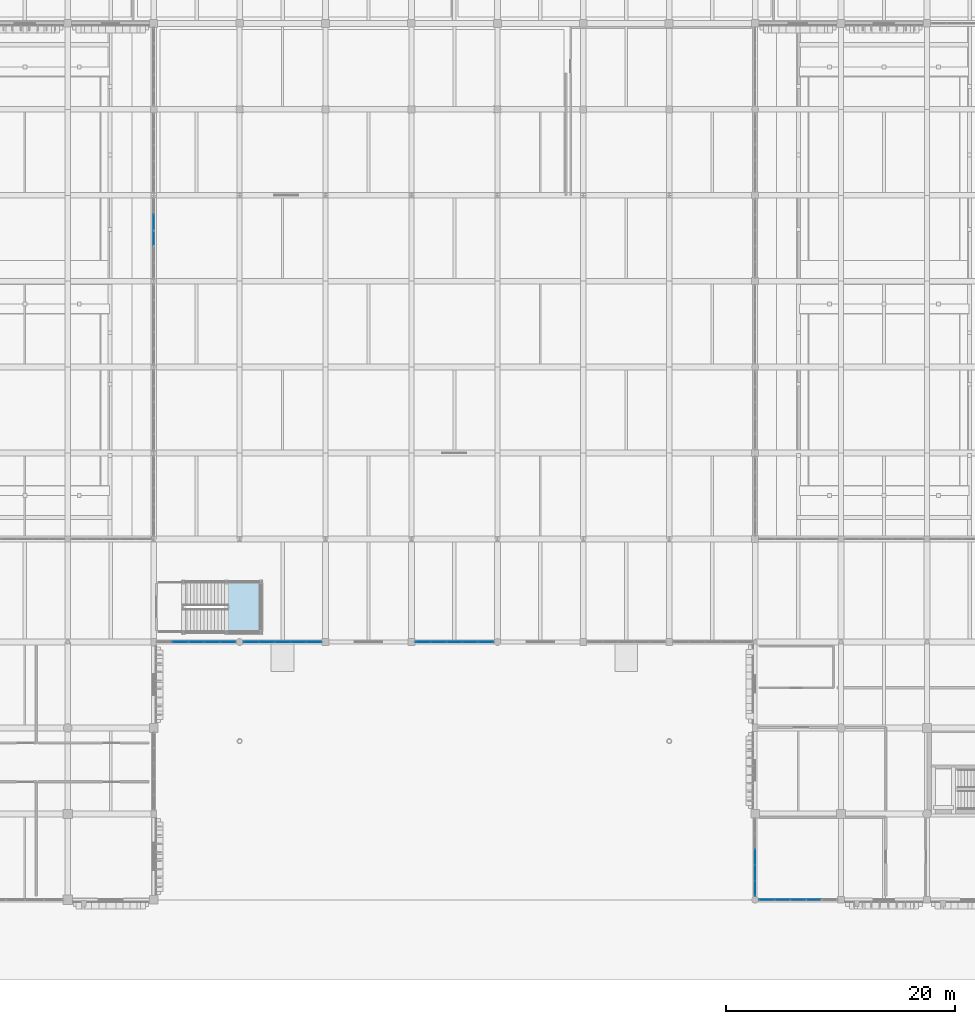
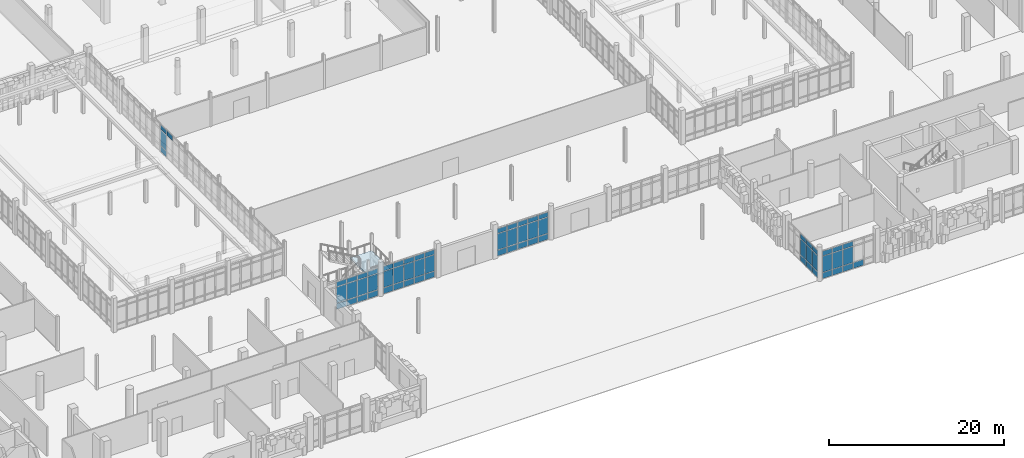
# One storey, part 74 of 125: 65 plates, 1 slab, 7 elements without a shape of their own.
"""IFC4 building model written with IfcOpenShell, lengths in metres."""

from ifc_helpers import new_model, si_unit, direction, frame, origin, origin_2d, place, context, subcontext, project, spatial, polyline, rectangle, outline, extrude, material, layer, layer_set, type_object, element, aggregate, save


model = new_model("IFC4")

# Units and contexts
model_context = context("Model", 3, precision=1e-05, world=origin(), true_north=direction((0.0, 1.0)))
body_context = subcontext(model_context, "Body", "Model", "MODEL_VIEW")
ifc_project = project(units=[si_unit("LENGTHUNIT", "METRE"), si_unit("AREAUNIT", "SQUARE_METRE"), si_unit("VOLUMEUNIT", "CUBIC_METRE"), si_unit("PLANEANGLEUNIT", "RADIAN"), si_unit("MASSUNIT", "GRAM", prefix="KILO")], contexts=[model_context])

# Site, building, storey
site_placement = place(None, origin())
site = spatial("IfcSite", under=ifc_project, at=site_placement, CompositionType="ELEMENT")
building_placement = place(site_placement, origin())
building = spatial("IfcBuilding", under=site, at=building_placement, Name="Dalvernix Boulevard General Hospital", CompositionType="ELEMENT")
storey_placement = place(building_placement, origin())
storey = spatial("IfcBuildingStorey", under=building, at=storey_placement, Name="L00", CompositionType="ELEMENT", Elevation=0.0)

# Curtain wall, plates
ifc_material_1 = material(Name="Thermally broken aluminium and solar-control glass curtain wall", Category="aluminium")
ifc_layer_1 = layer(ifc_material_1, 0.159912109375)
ifc_layer_set_1 = layer_set([ifc_layer_1], Name="Thermally broken aluminium and solar-control glass curtain wall (CW-CW-A-71x39)")
curtain_wall_type_1 = type_object("IfcCurtainWallType", Name="CW-CW-A-71x39", PredefinedType="USERDEFINED", material=ifc_layer_set_1)
curtain_wall_1_placement = place(storey_placement, origin())
curtain_wall_1 = element("IfcCurtainWall", 1, at=curtain_wall_1_placement, inside=storey, type_object=curtain_wall_type_1, Name="L00 curtain wall CW-A-71x39 8-7", ObjectType="GLAZED FACADE", PredefinedType="USERDEFINED")
ifc_material_2 = material(Name="Double-glazed solar-control low-emissivity glass", Category="glass")
ifc_layer_2 = layer(ifc_material_2, 0.02392578125)
ifc_layer_set_2 = layer_set([ifc_layer_2], Name="Double-glazed solar-control low-emissivity glass (PLT-CW-P1)")
plate_type_1 = type_object("IfcPlateType", Name="PLT-CW-P1", PredefinedType="CURTAIN_PANEL", material=ifc_layer_set_2)
plate_1_placement = place(storey_placement, frame((60.0, 57.75, 3.18017578125), z_axis=(0.0, 0.0, 1.0), x_axis=(0.0, 1.0, 0.0)))
plate_1 = element("IfcPlate", 2, at=plate_1_placement, type_object=plate_type_1, Name="CW-A-71x39 panel 3.3", PredefinedType="CURTAIN_PANEL", context=body_context, shape_type="SweptSolid", body=[
    extrude(rectangle(XDim=1.35595703125, YDim=0.02392578125, at=origin_2d()), origin(), (0.0, 0.0, 1.0), 0.659912109375),
])
plate_2_placement = place(storey_placement, frame((60.0, 59.166015625, 0.06005859375), z_axis=(0.0, 0.0, 1.0), x_axis=(0.0, 1.0, 0.0)))
plate_2 = element("IfcPlate", 3, at=plate_2_placement, type_object=plate_type_1, Name="CW-A-71x39 panel 4.1", PredefinedType="CURTAIN_PANEL", context=body_context, shape_type="SweptSolid", body=[
    extrude(rectangle(XDim=1.35595703125, YDim=0.02392578125, at=origin_2d()), origin(), (0.0, 0.0, 1.0), 0.81005859375),
])
plate_3_placement = place(storey_placement, frame((60.0, 59.166015625, 0.929931640625), z_axis=(0.0, 0.0, 1.0), x_axis=(0.0, 1.0, 0.0)))
plate_3 = element("IfcPlate", 4, at=plate_3_placement, type_object=plate_type_1, Name="CW-A-71x39 panel 4.2", PredefinedType="CURTAIN_PANEL", context=body_context, shape_type="SweptSolid", body=[
    extrude(rectangle(XDim=1.35595703125, YDim=0.02392578125, at=origin_2d()), origin(), (0.0, 0.0, 1.0), 2.18994140625),
])
plate_4_placement = place(storey_placement, frame((60.0, 59.166015625, 3.18017578125), z_axis=(0.0, 0.0, 1.0), x_axis=(0.0, 1.0, 0.0)))
plate_4 = element("IfcPlate", 5, at=plate_4_placement, type_object=plate_type_1, Name="CW-A-71x39 panel 4.3", PredefinedType="CURTAIN_PANEL", context=body_context, shape_type="SweptSolid", body=[
    extrude(rectangle(XDim=1.35595703125, YDim=0.02392578125, at=origin_2d()), origin(), (0.0, 0.0, 1.0), 0.659912109375),
])
aggregate(curtain_wall_1, [plate_1, plate_2, plate_3, plate_4])

ifc_layer_3 = layer(ifc_material_1, 0.159912109375)
ifc_layer_set_3 = layer_set([ifc_layer_3], Name="Thermally broken aluminium and solar-control glass curtain wall (CW-CW-A-69x40)")
curtain_wall_type_2 = type_object("IfcCurtainWallType", Name="CW-CW-A-69x40", PredefinedType="USERDEFINED", material=ifc_layer_set_3)
curtain_wall_2_placement = place(storey_placement, origin())
curtain_wall_2 = element("IfcCurtainWall", 6, at=curtain_wall_2_placement, inside=storey, type_object=curtain_wall_type_2, Name="L00 curtain wall CW-A-69x40 9-3", ObjectType="GLAZED FACADE", PredefinedType="USERDEFINED")
plate_5_placement = place(storey_placement, frame((73.987060546875, 22.5, 0.06005859375), z_axis=(0.0, 0.0, 1.0), x_axis=(-1.0, 0.0, 0.0)))
plate_5 = element("IfcPlate", 7, at=plate_5_placement, type_object=plate_type_1, Name="CW-A-69x40 panel 1.1", PredefinedType="CURTAIN_PANEL", context=body_context, shape_type="SweptSolid", body=[
    extrude(rectangle(XDim=1.285888671875, YDim=0.02392578125, at=origin_2d()), origin(), (0.0, 0.0, 1.0), 0.81005859375),
])
plate_6_placement = place(storey_placement, frame((73.987060546875, 22.5, 0.93017578125), z_axis=(0.0, 0.0, 1.0), x_axis=(-1.0, 0.0, 0.0)))
plate_6 = element("IfcPlate", 8, at=plate_6_placement, type_object=plate_type_1, Name="CW-A-69x40 panel 1.2", PredefinedType="CURTAIN_PANEL", context=body_context, shape_type="SweptSolid", body=[
    extrude(rectangle(XDim=1.285888671875, YDim=0.02392578125, at=origin_2d()), origin(), (0.0, 0.0, 1.0), 2.239990234375),
])
plate_7_placement = place(storey_placement, frame((73.987060546875, 22.5, 3.22998046875), z_axis=(0.0, 0.0, 1.0), x_axis=(-1.0, 0.0, 0.0)))
plate_7 = element("IfcPlate", 9, at=plate_7_placement, type_object=plate_type_1, Name="CW-A-69x40 panel 1.3", PredefinedType="CURTAIN_PANEL", context=body_context, shape_type="SweptSolid", body=[
    extrude(rectangle(XDim=1.285888671875, YDim=0.02392578125, at=origin_2d()), origin(), (0.0, 0.0, 1.0), 0.659912109375),
])
plate_8_placement = place(storey_placement, frame((72.6259765625, 22.5, 0.06005859375), z_axis=(0.0, 0.0, 1.0), x_axis=(-1.0, 0.0, 0.0)))
plate_8 = element("IfcPlate", 10, at=plate_8_placement, type_object=plate_type_1, Name="CW-A-69x40 panel 2.1", PredefinedType="CURTAIN_PANEL", context=body_context, shape_type="SweptSolid", body=[
    extrude(rectangle(XDim=1.31591796875, YDim=0.02392578125, at=origin_2d()), origin(), (0.0, 0.0, 1.0), 0.81005859375),
])
plate_9_placement = place(storey_placement, frame((72.6259765625, 22.5, 0.93017578125), z_axis=(0.0, 0.0, 1.0), x_axis=(-1.0, 0.0, 0.0)))
plate_9 = element("IfcPlate", 11, at=plate_9_placement, type_object=plate_type_1, Name="CW-A-69x40 panel 2.2", PredefinedType="CURTAIN_PANEL", context=body_context, shape_type="SweptSolid", body=[
    extrude(rectangle(XDim=1.31591796875, YDim=0.02392578125, at=origin_2d()), origin(), (0.0, 0.0, 1.0), 2.239990234375),
])
plate_10_placement = place(storey_placement, frame((72.6259765625, 22.5, 3.22998046875), z_axis=(0.0, 0.0, 1.0), x_axis=(-1.0, 0.0, 0.0)))
plate_10 = element("IfcPlate", 12, at=plate_10_placement, type_object=plate_type_1, Name="CW-A-69x40 panel 2.3", PredefinedType="CURTAIN_PANEL", context=body_context, shape_type="SweptSolid", body=[
    extrude(rectangle(XDim=1.31591796875, YDim=0.02392578125, at=origin_2d()), origin(), (0.0, 0.0, 1.0), 0.659912109375),
])
plate_11_placement = place(storey_placement, frame((71.25, 22.5, 0.06005859375), z_axis=(0.0, 0.0, 1.0), x_axis=(-1.0, 0.0, 0.0)))
plate_11 = element("IfcPlate", 13, at=plate_11_placement, type_object=plate_type_1, Name="CW-A-69x40 panel 3.1", PredefinedType="CURTAIN_PANEL", context=body_context, shape_type="SweptSolid", body=[
    extrude(rectangle(XDim=1.31591796875, YDim=0.02392578125, at=origin_2d()), origin(), (0.0, 0.0, 1.0), 0.81005859375),
])
plate_12_placement = place(storey_placement, frame((71.25, 22.5, 0.93017578125), z_axis=(0.0, 0.0, 1.0), x_axis=(-1.0, 0.0, 0.0)))
plate_12 = element("IfcPlate", 14, at=plate_12_placement, type_object=plate_type_1, Name="CW-A-69x40 panel 3.2", PredefinedType="CURTAIN_PANEL", context=body_context, shape_type="SweptSolid", body=[
    extrude(rectangle(XDim=1.31591796875, YDim=0.02392578125, at=origin_2d()), origin(), (0.0, 0.0, 1.0), 2.239990234375),
])
plate_13_placement = place(storey_placement, frame((71.25, 22.5, 3.22998046875), z_axis=(0.0, 0.0, 1.0), x_axis=(-1.0, 0.0, 0.0)))
plate_13 = element("IfcPlate", 15, at=plate_13_placement, type_object=plate_type_1, Name="CW-A-69x40 panel 3.3", PredefinedType="CURTAIN_PANEL", context=body_context, shape_type="SweptSolid", body=[
    extrude(rectangle(XDim=1.31591796875, YDim=0.02392578125, at=origin_2d()), origin(), (0.0, 0.0, 1.0), 0.659912109375),
])
plate_14_placement = place(storey_placement, frame((69.8740234375, 22.5, 0.06005859375), z_axis=(0.0, 0.0, 1.0), x_axis=(-1.0, 0.0, 0.0)))
plate_14 = element("IfcPlate", 16, at=plate_14_placement, type_object=plate_type_1, Name="CW-A-69x40 panel 4.1", PredefinedType="CURTAIN_PANEL", context=body_context, shape_type="SweptSolid", body=[
    extrude(rectangle(XDim=1.31591796875, YDim=0.02392578125, at=origin_2d()), origin(), (0.0, 0.0, 1.0), 0.81005859375),
])
plate_15_placement = place(storey_placement, frame((69.8740234375, 22.5, 0.93017578125), z_axis=(0.0, 0.0, 1.0), x_axis=(-1.0, 0.0, 0.0)))
plate_15 = element("IfcPlate", 17, at=plate_15_placement, type_object=plate_type_1, Name="CW-A-69x40 panel 4.2", PredefinedType="CURTAIN_PANEL", context=body_context, shape_type="SweptSolid", body=[
    extrude(rectangle(XDim=1.31591796875, YDim=0.02392578125, at=origin_2d()), origin(), (0.0, 0.0, 1.0), 2.239990234375),
])
plate_16_placement = place(storey_placement, frame((69.8740234375, 22.5, 3.22998046875), z_axis=(0.0, 0.0, 1.0), x_axis=(-1.0, 0.0, 0.0)))
plate_16 = element("IfcPlate", 18, at=plate_16_placement, type_object=plate_type_1, Name="CW-A-69x40 panel 4.3", PredefinedType="CURTAIN_PANEL", context=body_context, shape_type="SweptSolid", body=[
    extrude(rectangle(XDim=1.31591796875, YDim=0.02392578125, at=origin_2d()), origin(), (0.0, 0.0, 1.0), 0.659912109375),
])
plate_17_placement = place(storey_placement, frame((68.512939453125, 22.5, 0.06005859375), z_axis=(0.0, 0.0, 1.0), x_axis=(-1.0, 0.0, 0.0)))
plate_17 = element("IfcPlate", 19, at=plate_17_placement, type_object=plate_type_1, Name="CW-A-69x40 panel 5.1", PredefinedType="CURTAIN_PANEL", context=body_context, shape_type="SweptSolid", body=[
    extrude(rectangle(XDim=1.285888671875, YDim=0.02392578125, at=origin_2d()), origin(), (0.0, 0.0, 1.0), 0.81005859375),
])
plate_18_placement = place(storey_placement, frame((68.512939453125, 22.5, 0.93017578125), z_axis=(0.0, 0.0, 1.0), x_axis=(-1.0, 0.0, 0.0)))
plate_18 = element("IfcPlate", 20, at=plate_18_placement, type_object=plate_type_1, Name="CW-A-69x40 panel 5.2", PredefinedType="CURTAIN_PANEL", context=body_context, shape_type="SweptSolid", body=[
    extrude(rectangle(XDim=1.285888671875, YDim=0.02392578125, at=origin_2d()), origin(), (0.0, 0.0, 1.0), 2.239990234375),
])
plate_19_placement = place(storey_placement, frame((68.512939453125, 22.5, 3.22998046875), z_axis=(0.0, 0.0, 1.0), x_axis=(-1.0, 0.0, 0.0)))
plate_19 = element("IfcPlate", 21, at=plate_19_placement, type_object=plate_type_1, Name="CW-A-69x40 panel 5.3", PredefinedType="CURTAIN_PANEL", context=body_context, shape_type="SweptSolid", body=[
    extrude(rectangle(XDim=1.285888671875, YDim=0.02392578125, at=origin_2d()), origin(), (0.0, 0.0, 1.0), 0.659912109375),
])
aggregate(curtain_wall_2, [plate_5, plate_6, plate_7, plate_8, plate_9, plate_10, plate_11, plate_12, plate_13, plate_14, plate_15, plate_16, plate_17, plate_18, plate_19])

curtain_wall_3_placement = place(storey_placement, origin())
curtain_wall_3 = element("IfcCurtainWall", 22, at=curtain_wall_3_placement, inside=storey, type_object=curtain_wall_type_2, Name="L00 curtain wall CW-A-69x40 15-0", ObjectType="GLAZED FACADE", PredefinedType="USERDEFINED")
plate_20_placement = place(storey_placement, frame((117.6259765625, 0.0, 0.06005859375), z_axis=(0.0, 0.0, 1.0), x_axis=(-1.0, 0.0, 0.0)))
plate_20 = element("IfcPlate", 23, at=plate_20_placement, type_object=plate_type_1, Name="CW-A-69x40 panel 2.1", PredefinedType="CURTAIN_PANEL", context=body_context, shape_type="SweptSolid", body=[
    extrude(rectangle(XDim=1.31591796875, YDim=0.02392578125, at=origin_2d()), origin(), (0.0, 0.0, 1.0), 0.81005859375),
])
plate_21_placement = place(storey_placement, frame((116.25, 0.0, 0.06005859375), z_axis=(0.0, 0.0, 1.0), x_axis=(-1.0, 0.0, 0.0)))
plate_21 = element("IfcPlate", 24, at=plate_21_placement, type_object=plate_type_1, Name="CW-A-69x40 panel 3.1", PredefinedType="CURTAIN_PANEL", context=body_context, shape_type="SweptSolid", body=[
    extrude(rectangle(XDim=1.31591796875, YDim=0.02392578125, at=origin_2d()), origin(), (0.0, 0.0, 1.0), 0.81005859375),
])
plate_22_placement = place(storey_placement, frame((116.25, 0.0, 0.93017578125), z_axis=(0.0, 0.0, 1.0), x_axis=(-1.0, 0.0, 0.0)))
plate_22 = element("IfcPlate", 25, at=plate_22_placement, type_object=plate_type_1, Name="CW-A-69x40 panel 3.2", PredefinedType="CURTAIN_PANEL", context=body_context, shape_type="SweptSolid", body=[
    extrude(rectangle(XDim=1.31591796875, YDim=0.02392578125, at=origin_2d()), origin(), (0.0, 0.0, 1.0), 2.239990234375),
])
plate_23_placement = place(storey_placement, frame((116.25, 0.0, 3.22998046875), z_axis=(0.0, 0.0, 1.0), x_axis=(-1.0, 0.0, 0.0)))
plate_23 = element("IfcPlate", 26, at=plate_23_placement, type_object=plate_type_1, Name="CW-A-69x40 panel 3.3", PredefinedType="CURTAIN_PANEL", context=body_context, shape_type="SweptSolid", body=[
    extrude(rectangle(XDim=1.31591796875, YDim=0.02392578125, at=origin_2d()), origin(), (0.0, 0.0, 1.0), 0.659912109375),
])
plate_24_placement = place(storey_placement, frame((114.8740234375, 0.0, 0.06005859375), z_axis=(0.0, 0.0, 1.0), x_axis=(-1.0, 0.0, 0.0)))
plate_24 = element("IfcPlate", 27, at=plate_24_placement, type_object=plate_type_1, Name="CW-A-69x40 panel 4.1", PredefinedType="CURTAIN_PANEL", context=body_context, shape_type="SweptSolid", body=[
    extrude(rectangle(XDim=1.31591796875, YDim=0.02392578125, at=origin_2d()), origin(), (0.0, 0.0, 1.0), 0.81005859375),
])
plate_25_placement = place(storey_placement, frame((114.8740234375, 0.0, 0.93017578125), z_axis=(0.0, 0.0, 1.0), x_axis=(-1.0, 0.0, 0.0)))
plate_25 = element("IfcPlate", 28, at=plate_25_placement, type_object=plate_type_1, Name="CW-A-69x40 panel 4.2", PredefinedType="CURTAIN_PANEL", context=body_context, shape_type="SweptSolid", body=[
    extrude(rectangle(XDim=1.31591796875, YDim=0.02392578125, at=origin_2d()), origin(), (0.0, 0.0, 1.0), 2.239990234375),
])
plate_26_placement = place(storey_placement, frame((114.8740234375, 0.0, 3.22998046875), z_axis=(0.0, 0.0, 1.0), x_axis=(-1.0, 0.0, 0.0)))
plate_26 = element("IfcPlate", 29, at=plate_26_placement, type_object=plate_type_1, Name="CW-A-69x40 panel 4.3", PredefinedType="CURTAIN_PANEL", context=body_context, shape_type="SweptSolid", body=[
    extrude(rectangle(XDim=1.31591796875, YDim=0.02392578125, at=origin_2d()), origin(), (0.0, 0.0, 1.0), 0.659912109375),
])
plate_27_placement = place(storey_placement, frame((113.512939453125, 0.0, 0.06005859375), z_axis=(0.0, 0.0, 1.0), x_axis=(-1.0, 0.0, 0.0)))
plate_27 = element("IfcPlate", 30, at=plate_27_placement, type_object=plate_type_1, Name="CW-A-69x40 panel 5.1", PredefinedType="CURTAIN_PANEL", context=body_context, shape_type="SweptSolid", body=[
    extrude(rectangle(XDim=1.285888671875, YDim=0.02392578125, at=origin_2d()), origin(), (0.0, 0.0, 1.0), 0.81005859375),
])
plate_28_placement = place(storey_placement, frame((113.512939453125, 0.0, 0.93017578125), z_axis=(0.0, 0.0, 1.0), x_axis=(-1.0, 0.0, 0.0)))
plate_28 = element("IfcPlate", 31, at=plate_28_placement, type_object=plate_type_1, Name="CW-A-69x40 panel 5.2", PredefinedType="CURTAIN_PANEL", context=body_context, shape_type="SweptSolid", body=[
    extrude(rectangle(XDim=1.285888671875, YDim=0.02392578125, at=origin_2d()), origin(), (0.0, 0.0, 1.0), 2.239990234375),
])
plate_29_placement = place(storey_placement, frame((113.512939453125, 0.0, 3.22998046875), z_axis=(0.0, 0.0, 1.0), x_axis=(-1.0, 0.0, 0.0)))
plate_29 = element("IfcPlate", 32, at=plate_29_placement, type_object=plate_type_1, Name="CW-A-69x40 panel 5.3", PredefinedType="CURTAIN_PANEL", context=body_context, shape_type="SweptSolid", body=[
    extrude(rectangle(XDim=1.285888671875, YDim=0.02392578125, at=origin_2d()), origin(), (0.0, 0.0, 1.0), 0.659912109375),
])
aggregate(curtain_wall_3, [plate_20, plate_21, plate_22, plate_23, plate_24, plate_25, plate_26, plate_27, plate_28, plate_29])

ifc_layer_4 = layer(ifc_material_1, 0.159912109375)
ifc_layer_set_4 = layer_set([ifc_layer_4], Name="Thermally broken aluminium and solar-control glass curtain wall (CW-CW-A-68x39)")
curtain_wall_type_3 = type_object("IfcCurtainWallType", Name="CW-CW-A-68x39", PredefinedType="USERDEFINED", material=ifc_layer_set_4)
curtain_wall_4_placement = place(storey_placement, origin())
curtain_wall_4 = element("IfcCurtainWall", 33, at=curtain_wall_4_placement, inside=storey, type_object=curtain_wall_type_3, Name="L00 curtain wall CW-A-68x39 15-0", ObjectType="GLAZED FACADE", PredefinedType="USERDEFINED")
plate_30_placement = place(storey_placement, frame((112.5, 1.005615234375, 0.06005859375), z_axis=(0.0, 0.0, 1.0), x_axis=(0.0, 1.0, 0.0)))
plate_30 = element("IfcPlate", 34, at=plate_30_placement, type_object=plate_type_1, Name="CW-A-68x39 panel 1.1", PredefinedType="CURTAIN_PANEL", context=body_context, shape_type="SweptSolid", body=[
    extrude(rectangle(XDim=1.27099609375, YDim=0.02392578125, at=origin_2d()), origin(), (0.0, 0.0, 1.0), 0.81005859375),
])
plate_31_placement = place(storey_placement, frame((112.5, 1.005615234375, 0.929931640625), z_axis=(0.0, 0.0, 1.0), x_axis=(0.0, 1.0, 0.0)))
plate_31 = element("IfcPlate", 35, at=plate_31_placement, type_object=plate_type_1, Name="CW-A-68x39 panel 1.2", PredefinedType="CURTAIN_PANEL", context=body_context, shape_type="SweptSolid", body=[
    extrude(rectangle(XDim=1.27099609375, YDim=0.02392578125, at=origin_2d()), origin(), (0.0, 0.0, 1.0), 2.18994140625),
])
plate_32_placement = place(storey_placement, frame((112.5, 1.005615234375, 3.18017578125), z_axis=(0.0, 0.0, 1.0), x_axis=(0.0, 1.0, 0.0)))
plate_32 = element("IfcPlate", 36, at=plate_32_placement, type_object=plate_type_1, Name="CW-A-68x39 panel 1.3", PredefinedType="CURTAIN_PANEL", context=body_context, shape_type="SweptSolid", body=[
    extrude(rectangle(XDim=1.27099609375, YDim=0.02392578125, at=origin_2d()), origin(), (0.0, 0.0, 1.0), 0.659912109375),
])
plate_33_placement = place(storey_placement, frame((112.5, 2.3515625, 0.06005859375), z_axis=(0.0, 0.0, 1.0), x_axis=(0.0, 1.0, 0.0)))
plate_33 = element("IfcPlate", 37, at=plate_33_placement, type_object=plate_type_1, Name="CW-A-68x39 panel 2.1", PredefinedType="CURTAIN_PANEL", context=body_context, shape_type="SweptSolid", body=[
    extrude(rectangle(XDim=1.301025390625, YDim=0.02392578125, at=origin_2d()), origin(), (0.0, 0.0, 1.0), 0.81005859375),
])
plate_34_placement = place(storey_placement, frame((112.5, 2.3515625, 0.929931640625), z_axis=(0.0, 0.0, 1.0), x_axis=(0.0, 1.0, 0.0)))
plate_34 = element("IfcPlate", 38, at=plate_34_placement, type_object=plate_type_1, Name="CW-A-68x39 panel 2.2", PredefinedType="CURTAIN_PANEL", context=body_context, shape_type="SweptSolid", body=[
    extrude(rectangle(XDim=1.301025390625, YDim=0.02392578125, at=origin_2d()), origin(), (0.0, 0.0, 1.0), 2.18994140625),
])
plate_35_placement = place(storey_placement, frame((112.5, 2.3515625, 3.18017578125), z_axis=(0.0, 0.0, 1.0), x_axis=(0.0, 1.0, 0.0)))
plate_35 = element("IfcPlate", 39, at=plate_35_placement, type_object=plate_type_1, Name="CW-A-68x39 panel 2.3", PredefinedType="CURTAIN_PANEL", context=body_context, shape_type="SweptSolid", body=[
    extrude(rectangle(XDim=1.301025390625, YDim=0.02392578125, at=origin_2d()), origin(), (0.0, 0.0, 1.0), 0.659912109375),
])
plate_36_placement = place(storey_placement, frame((112.5, 3.71240234375, 0.06005859375), z_axis=(0.0, 0.0, 1.0), x_axis=(0.0, 1.0, 0.0)))
plate_36 = element("IfcPlate", 40, at=plate_36_placement, type_object=plate_type_1, Name="CW-A-68x39 panel 3.1", PredefinedType="CURTAIN_PANEL", context=body_context, shape_type="SweptSolid", body=[
    extrude(rectangle(XDim=1.301025390625, YDim=0.02392578125, at=origin_2d()), origin(), (0.0, 0.0, 1.0), 0.81005859375),
])
plate_37_placement = place(storey_placement, frame((112.5, 3.71240234375, 0.929931640625), z_axis=(0.0, 0.0, 1.0), x_axis=(0.0, 1.0, 0.0)))
plate_37 = element("IfcPlate", 41, at=plate_37_placement, type_object=plate_type_1, Name="CW-A-68x39 panel 3.2", PredefinedType="CURTAIN_PANEL", context=body_context, shape_type="SweptSolid", body=[
    extrude(rectangle(XDim=1.301025390625, YDim=0.02392578125, at=origin_2d()), origin(), (0.0, 0.0, 1.0), 2.18994140625),
])
plate_38_placement = place(storey_placement, frame((112.5, 3.71240234375, 3.18017578125), z_axis=(0.0, 0.0, 1.0), x_axis=(0.0, 1.0, 0.0)))
plate_38 = element("IfcPlate", 42, at=plate_38_placement, type_object=plate_type_1, Name="CW-A-68x39 panel 3.3", PredefinedType="CURTAIN_PANEL", context=body_context, shape_type="SweptSolid", body=[
    extrude(rectangle(XDim=1.301025390625, YDim=0.02392578125, at=origin_2d()), origin(), (0.0, 0.0, 1.0), 0.659912109375),
])
aggregate(curtain_wall_4, [plate_30, plate_31, plate_32, plate_33, plate_34, plate_35, plate_36, plate_37, plate_38])

ifc_layer_5 = layer(ifc_material_1, 0.199951171875)
ifc_layer_set_5 = layer_set([ifc_layer_5], Name="Thermally broken aluminium and solar-control glass curtain wall (CW-CW-C-69x40)")
curtain_wall_type_4 = type_object("IfcCurtainWallType", Name="CW-CW-C-69x40", PredefinedType="USERDEFINED", material=ifc_layer_set_5)
curtain_wall_5_placement = place(storey_placement, origin())
curtain_wall_5 = element("IfcCurtainWall", 43, at=curtain_wall_5_placement, inside=storey, type_object=curtain_wall_type_4, Name="L00 curtain wall CW-C-69x40 8-3", ObjectType="GLAZED FACADE", PredefinedType="USERDEFINED")
ifc_layer_6 = layer(ifc_material_2, 0.035888671875)
ifc_layer_set_6 = layer_set([ifc_layer_6], Name="Double-glazed solar-control low-emissivity glass (PLT-CW-P3)")
plate_type_2 = type_object("IfcPlateType", Name="PLT-CW-P3", PredefinedType="CURTAIN_PANEL", material=ifc_layer_set_6)
plate_39_placement = place(storey_placement, frame((66.4794921875, 22.5, 0.070068359375), z_axis=(0.0, 0.0, 1.0), x_axis=(-1.0, 0.0, 0.0)))
plate_39 = element("IfcPlate", 44, at=plate_39_placement, type_object=plate_type_2, Name="CW-C-69x40 panel 1.1", PredefinedType="CURTAIN_PANEL", context=body_context, shape_type="SweptSolid", body=[
    extrude(rectangle(XDim=1.281005859375, YDim=0.035888671875, at=origin_2d()), origin(), (0.0, 0.0, 1.0), 0.794921875),
])
plate_40_placement = place(storey_placement, frame((66.4794921875, 22.5, 0.93505859375), z_axis=(0.0, 0.0, 1.0), x_axis=(-1.0, 0.0, 0.0)))
plate_40 = element("IfcPlate", 45, at=plate_40_placement, type_object=plate_type_2, Name="CW-C-69x40 panel 1.2", PredefinedType="CURTAIN_PANEL", context=body_context, shape_type="SweptSolid", body=[
    extrude(rectangle(XDim=1.281005859375, YDim=0.035888671875, at=origin_2d()), origin(), (0.0, 0.0, 1.0), 2.22998046875),
])
plate_41_placement = place(storey_placement, frame((66.4794921875, 22.5, 3.235107421875), z_axis=(0.0, 0.0, 1.0), x_axis=(-1.0, 0.0, 0.0)))
plate_41 = element("IfcPlate", 46, at=plate_41_placement, type_object=plate_type_2, Name="CW-C-69x40 panel 1.3", PredefinedType="CURTAIN_PANEL", context=body_context, shape_type="SweptSolid", body=[
    extrude(rectangle(XDim=1.281005859375, YDim=0.035888671875, at=origin_2d()), origin(), (0.0, 0.0, 1.0), 0.64501953125),
])
plate_42_placement = place(storey_placement, frame((65.111083984375, 22.5, 0.070068359375), z_axis=(0.0, 0.0, 1.0), x_axis=(-1.0, 0.0, 0.0)))
plate_42 = element("IfcPlate", 47, at=plate_42_placement, type_object=plate_type_2, Name="CW-C-69x40 panel 2.1", PredefinedType="CURTAIN_PANEL", context=body_context, shape_type="SweptSolid", body=[
    extrude(rectangle(XDim=1.31591796875, YDim=0.035888671875, at=origin_2d()), origin(), (0.0, 0.0, 1.0), 0.794921875),
])
plate_43_placement = place(storey_placement, frame((65.111083984375, 22.5, 0.93505859375), z_axis=(0.0, 0.0, 1.0), x_axis=(-1.0, 0.0, 0.0)))
plate_43 = element("IfcPlate", 48, at=plate_43_placement, type_object=plate_type_2, Name="CW-C-69x40 panel 2.2", PredefinedType="CURTAIN_PANEL", context=body_context, shape_type="SweptSolid", body=[
    extrude(rectangle(XDim=1.31591796875, YDim=0.035888671875, at=origin_2d()), origin(), (0.0, 0.0, 1.0), 2.22998046875),
])
plate_44_placement = place(storey_placement, frame((65.111083984375, 22.5, 3.235107421875), z_axis=(0.0, 0.0, 1.0), x_axis=(-1.0, 0.0, 0.0)))
plate_44 = element("IfcPlate", 49, at=plate_44_placement, type_object=plate_type_2, Name="CW-C-69x40 panel 2.3", PredefinedType="CURTAIN_PANEL", context=body_context, shape_type="SweptSolid", body=[
    extrude(rectangle(XDim=1.31591796875, YDim=0.035888671875, at=origin_2d()), origin(), (0.0, 0.0, 1.0), 0.64501953125),
])
plate_45_placement = place(storey_placement, frame((63.72509765625, 22.5, 0.070068359375), z_axis=(0.0, 0.0, 1.0), x_axis=(-1.0, 0.0, 0.0)))
plate_45 = element("IfcPlate", 50, at=plate_45_placement, type_object=plate_type_2, Name="CW-C-69x40 panel 3.1", PredefinedType="CURTAIN_PANEL", context=body_context, shape_type="SweptSolid", body=[
    extrude(rectangle(XDim=1.31591796875, YDim=0.035888671875, at=origin_2d()), origin(), (0.0, 0.0, 1.0), 0.794921875),
])
plate_46_placement = place(storey_placement, frame((63.72509765625, 22.5, 0.93505859375), z_axis=(0.0, 0.0, 1.0), x_axis=(-1.0, 0.0, 0.0)))
plate_46 = element("IfcPlate", 51, at=plate_46_placement, type_object=plate_type_2, Name="CW-C-69x40 panel 3.2", PredefinedType="CURTAIN_PANEL", context=body_context, shape_type="SweptSolid", body=[
    extrude(rectangle(XDim=1.31591796875, YDim=0.035888671875, at=origin_2d()), origin(), (0.0, 0.0, 1.0), 2.22998046875),
])
plate_47_placement = place(storey_placement, frame((63.72509765625, 22.5, 3.235107421875), z_axis=(0.0, 0.0, 1.0), x_axis=(-1.0, 0.0, 0.0)))
plate_47 = element("IfcPlate", 52, at=plate_47_placement, type_object=plate_type_2, Name="CW-C-69x40 panel 3.3", PredefinedType="CURTAIN_PANEL", context=body_context, shape_type="SweptSolid", body=[
    extrude(rectangle(XDim=1.31591796875, YDim=0.035888671875, at=origin_2d()), origin(), (0.0, 0.0, 1.0), 0.64501953125),
])
plate_48_placement = place(storey_placement, frame((62.339111328125, 22.5, 0.070068359375), z_axis=(0.0, 0.0, 1.0), x_axis=(-1.0, 0.0, 0.0)))
plate_48 = element("IfcPlate", 53, at=plate_48_placement, type_object=plate_type_2, Name="CW-C-69x40 panel 4.1", PredefinedType="CURTAIN_PANEL", context=body_context, shape_type="SweptSolid", body=[
    extrude(rectangle(XDim=1.31591796875, YDim=0.035888671875, at=origin_2d()), origin(), (0.0, 0.0, 1.0), 0.794921875),
])
plate_49_placement = place(storey_placement, frame((62.339111328125, 22.5, 0.93505859375), z_axis=(0.0, 0.0, 1.0), x_axis=(-1.0, 0.0, 0.0)))
plate_49 = element("IfcPlate", 54, at=plate_49_placement, type_object=plate_type_2, Name="CW-C-69x40 panel 4.2", PredefinedType="CURTAIN_PANEL", context=body_context, shape_type="SweptSolid", body=[
    extrude(rectangle(XDim=1.31591796875, YDim=0.035888671875, at=origin_2d()), origin(), (0.0, 0.0, 1.0), 2.22998046875),
])
plate_50_placement = place(storey_placement, frame((62.339111328125, 22.5, 3.235107421875), z_axis=(0.0, 0.0, 1.0), x_axis=(-1.0, 0.0, 0.0)))
plate_50 = element("IfcPlate", 55, at=plate_50_placement, type_object=plate_type_2, Name="CW-C-69x40 panel 4.3", PredefinedType="CURTAIN_PANEL", context=body_context, shape_type="SweptSolid", body=[
    extrude(rectangle(XDim=1.31591796875, YDim=0.035888671875, at=origin_2d()), origin(), (0.0, 0.0, 1.0), 0.64501953125),
])
aggregate(curtain_wall_5, [plate_39, plate_40, plate_41, plate_42, plate_43, plate_44, plate_45, plate_46, plate_47, plate_48, plate_49, plate_50])

curtain_wall_6_placement = place(storey_placement, origin())
curtain_wall_6 = element("IfcCurtainWall", 56, at=curtain_wall_6_placement, inside=storey, type_object=curtain_wall_type_4, Name="L00 curtain wall CW-C-69x40 11-3", ObjectType="GLAZED FACADE", PredefinedType="USERDEFINED")
plate_51_placement = place(storey_placement, frame((88.984619140625, 22.5, 0.070068359375), z_axis=(0.0, 0.0, 1.0), x_axis=(-1.0, 0.0, 0.0)))
plate_51 = element("IfcPlate", 57, at=plate_51_placement, type_object=plate_type_2, Name="CW-C-69x40 panel 1.1", PredefinedType="CURTAIN_PANEL", context=body_context, shape_type="SweptSolid", body=[
    extrude(rectangle(XDim=1.27099609375, YDim=0.035888671875, at=origin_2d()), origin(), (0.0, 0.0, 1.0), 0.794921875),
])
plate_52_placement = place(storey_placement, frame((88.984619140625, 22.5, 0.93505859375), z_axis=(0.0, 0.0, 1.0), x_axis=(-1.0, 0.0, 0.0)))
plate_52 = element("IfcPlate", 58, at=plate_52_placement, type_object=plate_type_2, Name="CW-C-69x40 panel 1.2", PredefinedType="CURTAIN_PANEL", context=body_context, shape_type="SweptSolid", body=[
    extrude(rectangle(XDim=1.27099609375, YDim=0.035888671875, at=origin_2d()), origin(), (0.0, 0.0, 1.0), 2.22998046875),
])
plate_53_placement = place(storey_placement, frame((88.984619140625, 22.5, 3.235107421875), z_axis=(0.0, 0.0, 1.0), x_axis=(-1.0, 0.0, 0.0)))
plate_53 = element("IfcPlate", 59, at=plate_53_placement, type_object=plate_type_2, Name="CW-C-69x40 panel 1.3", PredefinedType="CURTAIN_PANEL", context=body_context, shape_type="SweptSolid", body=[
    extrude(rectangle(XDim=1.27099609375, YDim=0.035888671875, at=origin_2d()), origin(), (0.0, 0.0, 1.0), 0.64501953125),
])
plate_54_placement = place(storey_placement, frame((87.6259765625, 22.5, 0.070068359375), z_axis=(0.0, 0.0, 1.0), x_axis=(-1.0, 0.0, 0.0)))
plate_54 = element("IfcPlate", 60, at=plate_54_placement, type_object=plate_type_2, Name="CW-C-69x40 panel 2.1", PredefinedType="CURTAIN_PANEL", context=body_context, shape_type="SweptSolid", body=[
    extrude(rectangle(XDim=1.305908203125, YDim=0.035888671875, at=origin_2d()), origin(), (0.0, 0.0, 1.0), 0.794921875),
])
plate_55_placement = place(storey_placement, frame((87.6259765625, 22.5, 0.93505859375), z_axis=(0.0, 0.0, 1.0), x_axis=(-1.0, 0.0, 0.0)))
plate_55 = element("IfcPlate", 61, at=plate_55_placement, type_object=plate_type_2, Name="CW-C-69x40 panel 2.2", PredefinedType="CURTAIN_PANEL", context=body_context, shape_type="SweptSolid", body=[
    extrude(rectangle(XDim=1.305908203125, YDim=0.035888671875, at=origin_2d()), origin(), (0.0, 0.0, 1.0), 2.22998046875),
])
plate_56_placement = place(storey_placement, frame((87.6259765625, 22.5, 3.235107421875), z_axis=(0.0, 0.0, 1.0), x_axis=(-1.0, 0.0, 0.0)))
plate_56 = element("IfcPlate", 62, at=plate_56_placement, type_object=plate_type_2, Name="CW-C-69x40 panel 2.3", PredefinedType="CURTAIN_PANEL", context=body_context, shape_type="SweptSolid", body=[
    extrude(rectangle(XDim=1.305908203125, YDim=0.035888671875, at=origin_2d()), origin(), (0.0, 0.0, 1.0), 0.64501953125),
])
plate_57_placement = place(storey_placement, frame((86.25, 22.5, 0.070068359375), z_axis=(0.0, 0.0, 1.0), x_axis=(-1.0, 0.0, 0.0)))
plate_57 = element("IfcPlate", 63, at=plate_57_placement, type_object=plate_type_2, Name="CW-C-69x40 panel 3.1", PredefinedType="CURTAIN_PANEL", context=body_context, shape_type="SweptSolid", body=[
    extrude(rectangle(XDim=1.305908203125, YDim=0.035888671875, at=origin_2d()), origin(), (0.0, 0.0, 1.0), 0.794921875),
])
plate_58_placement = place(storey_placement, frame((86.25, 22.5, 0.93505859375), z_axis=(0.0, 0.0, 1.0), x_axis=(-1.0, 0.0, 0.0)))
plate_58 = element("IfcPlate", 64, at=plate_58_placement, type_object=plate_type_2, Name="CW-C-69x40 panel 3.2", PredefinedType="CURTAIN_PANEL", context=body_context, shape_type="SweptSolid", body=[
    extrude(rectangle(XDim=1.305908203125, YDim=0.035888671875, at=origin_2d()), origin(), (0.0, 0.0, 1.0), 2.22998046875),
])
plate_59_placement = place(storey_placement, frame((86.25, 22.5, 3.235107421875), z_axis=(0.0, 0.0, 1.0), x_axis=(-1.0, 0.0, 0.0)))
plate_59 = element("IfcPlate", 65, at=plate_59_placement, type_object=plate_type_2, Name="CW-C-69x40 panel 3.3", PredefinedType="CURTAIN_PANEL", context=body_context, shape_type="SweptSolid", body=[
    extrude(rectangle(XDim=1.305908203125, YDim=0.035888671875, at=origin_2d()), origin(), (0.0, 0.0, 1.0), 0.64501953125),
])
plate_60_placement = place(storey_placement, frame((84.8740234375, 22.5, 0.070068359375), z_axis=(0.0, 0.0, 1.0), x_axis=(-1.0, 0.0, 0.0)))
plate_60 = element("IfcPlate", 66, at=plate_60_placement, type_object=plate_type_2, Name="CW-C-69x40 panel 4.1", PredefinedType="CURTAIN_PANEL", context=body_context, shape_type="SweptSolid", body=[
    extrude(rectangle(XDim=1.305908203125, YDim=0.035888671875, at=origin_2d()), origin(), (0.0, 0.0, 1.0), 0.794921875),
])
plate_61_placement = place(storey_placement, frame((84.8740234375, 22.5, 0.93505859375), z_axis=(0.0, 0.0, 1.0), x_axis=(-1.0, 0.0, 0.0)))
plate_61 = element("IfcPlate", 67, at=plate_61_placement, type_object=plate_type_2, Name="CW-C-69x40 panel 4.2", PredefinedType="CURTAIN_PANEL", context=body_context, shape_type="SweptSolid", body=[
    extrude(rectangle(XDim=1.305908203125, YDim=0.035888671875, at=origin_2d()), origin(), (0.0, 0.0, 1.0), 2.22998046875),
])
plate_62_placement = place(storey_placement, frame((84.8740234375, 22.5, 3.235107421875), z_axis=(0.0, 0.0, 1.0), x_axis=(-1.0, 0.0, 0.0)))
plate_62 = element("IfcPlate", 68, at=plate_62_placement, type_object=plate_type_2, Name="CW-C-69x40 panel 4.3", PredefinedType="CURTAIN_PANEL", context=body_context, shape_type="SweptSolid", body=[
    extrude(rectangle(XDim=1.305908203125, YDim=0.035888671875, at=origin_2d()), origin(), (0.0, 0.0, 1.0), 0.64501953125),
])
plate_63_placement = place(storey_placement, frame((83.515380859375, 22.5, 0.070068359375), z_axis=(0.0, 0.0, 1.0), x_axis=(-1.0, 0.0, 0.0)))
plate_63 = element("IfcPlate", 69, at=plate_63_placement, type_object=plate_type_2, Name="CW-C-69x40 panel 5.1", PredefinedType="CURTAIN_PANEL", context=body_context, shape_type="SweptSolid", body=[
    extrude(rectangle(XDim=1.27099609375, YDim=0.035888671875, at=origin_2d()), origin(), (0.0, 0.0, 1.0), 0.794921875),
])
plate_64_placement = place(storey_placement, frame((83.515380859375, 22.5, 0.93505859375), z_axis=(0.0, 0.0, 1.0), x_axis=(-1.0, 0.0, 0.0)))
plate_64 = element("IfcPlate", 70, at=plate_64_placement, type_object=plate_type_2, Name="CW-C-69x40 panel 5.2", PredefinedType="CURTAIN_PANEL", context=body_context, shape_type="SweptSolid", body=[
    extrude(rectangle(XDim=1.27099609375, YDim=0.035888671875, at=origin_2d()), origin(), (0.0, 0.0, 1.0), 2.22998046875),
])
plate_65_placement = place(storey_placement, frame((83.515380859375, 22.5, 3.235107421875), z_axis=(0.0, 0.0, 1.0), x_axis=(-1.0, 0.0, 0.0)))
plate_65 = element("IfcPlate", 71, at=plate_65_placement, type_object=plate_type_2, Name="CW-C-69x40 panel 5.3", PredefinedType="CURTAIN_PANEL", context=body_context, shape_type="SweptSolid", body=[
    extrude(rectangle(XDim=1.27099609375, YDim=0.035888671875, at=origin_2d()), origin(), (0.0, 0.0, 1.0), 0.64501953125),
])
aggregate(curtain_wall_6, [plate_51, plate_52, plate_53, plate_54, plate_55, plate_56, plate_57, plate_58, plate_59, plate_60, plate_61, plate_62, plate_63, plate_64, plate_65])

# Stair, slab
ifc_material_3 = material(Name="Precast concrete C40/50", Category="concrete")
stair_type = type_object("IfcStairType", Name="IFCSTAIR-STC-205x480", PredefinedType="HALF_TURN_STAIR", material=ifc_material_3)
stair_placement = place(storey_placement, origin())
stair = element("IfcStair", 72, at=stair_placement, inside=storey, type_object=stair_type, Name="L00 Arrival Hall Monumental Stair ST-07", PredefinedType="HALF_TURN_STAIR")
ifc_layer_7 = layer(ifc_material_3, 0.199951171875)
ifc_layer_set_7 = layer_set([ifc_layer_7], Name="Precast concrete C40/50 (SLB-LND-01)")
slab_type = type_object("IfcSlabType", Name="SLB-LND-01", PredefinedType="LANDING", material=ifc_layer_set_7)
slab_placement = place(storey_placement, frame((0.0, 0.0, 2.199951171875)))
slab = element("IfcSlab", 73, at=slab_placement, type_object=slab_type, Name="ST-07 landing 1", PredefinedType="LANDING", context=body_context, shape_type="SweptSolid", body=[
    extrude(outline(polyline([(66.5, 23.35009765625), (69.35009765625, 23.35009765625), (69.35009765625, 27.75), (66.5, 27.75), (66.5, 23.35009765625)])), origin(), (0.0, 0.0, 1.0), 0.199951171875),
])
aggregate(stair, [slab])

save(model, "model.ifc")
